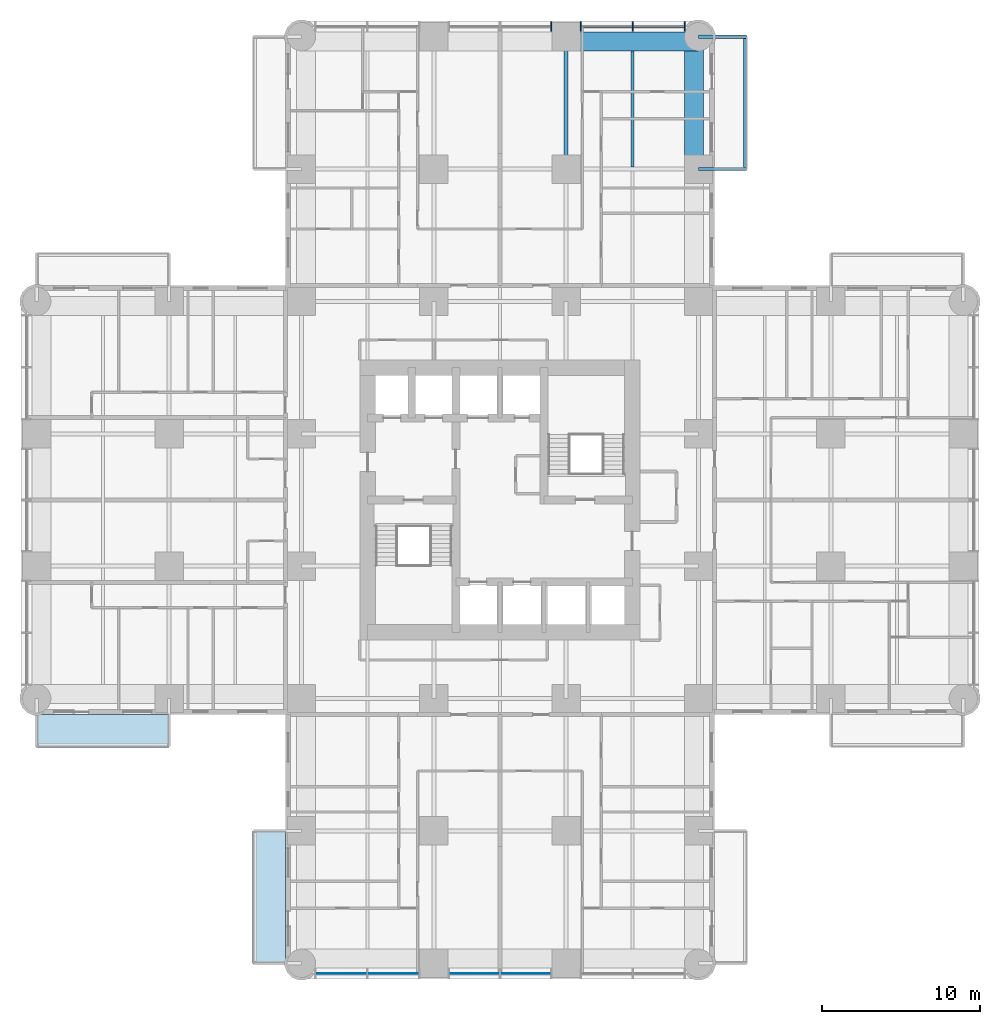
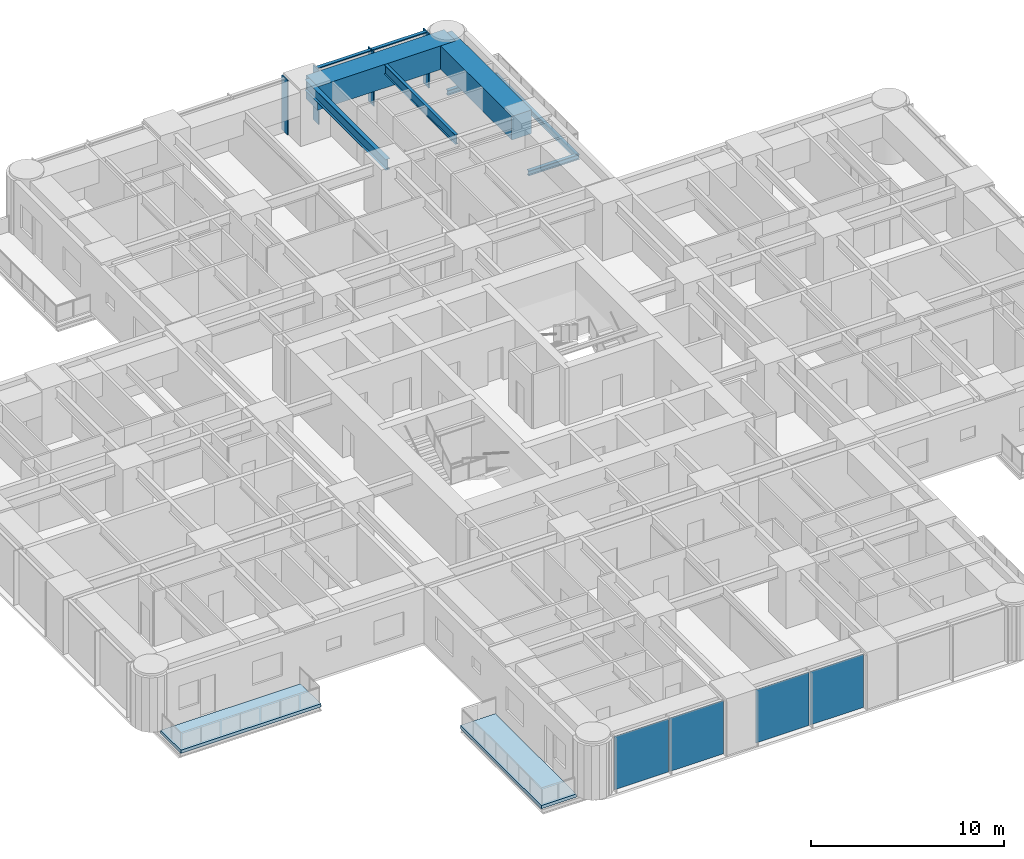
# One storey, part 5 of 17: 7 beams, 6 members, 4 plates, 2 slabs, 2 elements without a shape of their own.
"""IFC4 building model written with IfcOpenShell, lengths in metres."""

from ifc_helpers import new_model, si_unit, direction, frame, origin, origin_2d, place, context, subcontext, project, spatial, polyline, rectangle, i_section, outline, extrude, material, layer, layer_set, material_profile, profile_set, type_object, element, aggregate, save


model = new_model("IFC4")

# Units and contexts
model_context = context("Model", 3, precision=1e-05, world=origin(), true_north=direction((0.0, 1.0)))
body_context = subcontext(model_context, "Body", "Model", "MODEL_VIEW")
ifc_project = project(units=[si_unit("LENGTHUNIT", "METRE"), si_unit("AREAUNIT", "SQUARE_METRE"), si_unit("VOLUMEUNIT", "CUBIC_METRE"), si_unit("PLANEANGLEUNIT", "RADIAN"), si_unit("MASSUNIT", "GRAM", prefix="KILO")], contexts=[model_context])

# Site, building, storey
site_placement = place(None, origin())
site = spatial("IfcSite", under=ifc_project, at=site_placement, CompositionType="ELEMENT")
building_placement = place(site_placement, origin())
building = spatial("IfcBuilding", under=site, at=building_placement, Name="Torre Alcanfor", CompositionType="ELEMENT")
storey_placement = place(building_placement, frame((0.0, 0.0, 81.300048828125)))
storey = spatial("IfcBuildingStorey", under=building, at=storey_placement, Name="L20", CompositionType="ELEMENT", Elevation=81.300048828125)

# Beams
ifc_material_1 = material(Name="Steel ASTM A992 Grade 50", Category="steel")
ifc_material_profile_1 = material_profile(ifc_material_1, i_section(OverallWidth=0.205322265625, OverallDepth=0.309814453125, WebThickness=0.00927734375, FlangeThickness=0.016357421875, at=origin_2d()), Name="W12x50")
ifc_profile_set_1 = profile_set([ifc_material_profile_1], Name="Steel ASTM A992 Grade 50")
beam_type_1 = type_object("IfcBeamType", Name="Balcony cantilever beam W12x50", PredefinedType="BEAM", material=ifc_profile_set_1)
for number, where, z_axis, x_axis, name in (
    (1, (42.0, 50.39990234375, -0.35498046875), (1.0, 0.0, 0.0), (0.0, 1.0, 0.0), "Balcony cantilever beam L20-N2 1"),
    (2, (42.0, 58.800048828125, -0.35498046875), (1.0, 0.0, 0.0), (0.0, 1.0, 0.0), "Balcony cantilever beam L20-N2 2"),
):
    element("IfcBeam", number, at=place(storey_placement, frame(where, z_axis=z_axis, x_axis=x_axis)), inside=storey, type_object=beam_type_1, Name=name, PredefinedType="BEAM", context=body_context, shape_type="SweptSolid", body=[
        extrude(i_section(OverallWidth=0.205322265625, OverallDepth=0.309814453125, WebThickness=0.00927734375, FlangeThickness=0.016357421875, at=origin_2d()), origin(), (0.0, 0.0, 1.0), 3.050048828125),
    ])
ifc_material_2 = material(Name="Steel ASTM A992 Grade 50", Category="steel")
ifc_material_profile_2 = material_profile(ifc_material_2, i_section(OverallWidth=0.203369140625, OverallDepth=0.30224609375, WebThickness=0.007568359375, FlangeThickness=0.01318359375, at=origin_2d()), Name="W12x40")
ifc_profile_set_2 = profile_set([ifc_material_profile_2], Name="Steel ASTM A992 Grade 50")
beam_type_2 = type_object("IfcBeamType", Name="Balcony edge trimmer W12x40", PredefinedType="BEAM", material=ifc_profile_set_2)
beam_1_placement = place(storey_placement, frame((44.9482421875, 50.39990234375, -0.35107421875), z_axis=(0.0, 1.0, 0.0), x_axis=(-1.0, 0.0, 0.0)))
element("IfcBeam", 3, at=beam_1_placement, inside=storey, type_object=beam_type_2, Name="Balcony edge trimmer L20-N2", PredefinedType="BEAM", context=body_context, shape_type="SweptSolid", body=[
    extrude(i_section(OverallWidth=0.203369140625, OverallDepth=0.30224609375, WebThickness=0.007568359375, FlangeThickness=0.01318359375, at=origin_2d()), origin(), (0.0, 0.0, 1.0), 8.400146484375),
])

# Curtain wall, members
ifc_material_3 = material(Name="Aluminium and glass", Category="aluminium")
curtain_wall_type = type_object("IfcCurtainWallType", Name="CW-A unitised apartment glazing with vertical FIN", PredefinedType="NOTDEFINED", material=ifc_material_3)
curtain_wall_1_placement = place(storey_placement, origin())
curtain_wall_1 = element("IfcCurtainWall", 4, at=curtain_wall_1_placement, inside=storey, type_object=curtain_wall_type, Name="Curtain wall CW-A L20 11", PredefinedType="NOTDEFINED")
ifc_material_4 = material(Name="Bronze anodised aluminium", Category="aluminium")
ifc_material_profile_3 = material_profile(ifc_material_4, rectangle(XDim=0.60009765625, YDim=0.06494140625, at=origin_2d()), Name="CW-A mullion 65x600")
ifc_profile_set_3 = profile_set([ifc_material_profile_3], Name="Bronze anodised aluminium")
member_type_1 = type_object("IfcMemberType", Name="CW-A mullion with vertical FIN 65x600", PredefinedType="MULLION", material=ifc_profile_set_3)
member_1_placement = place(storey_placement, frame((41.133056640625, 59.449951171875, 0.0), z_axis=(0.0, 0.0, 1.0), x_axis=(0.0, -1.0, 0.0)))
member_1 = element("IfcMember", 5, at=member_1_placement, type_object=member_type_1, Name="CW-A mullion 1.1", PredefinedType="MULLION", context=body_context, shape_type="SweptSolid", body=[
    extrude(rectangle(XDim=0.60009765625, YDim=0.06494140625, at=origin_2d()), origin(), (0.0, 0.0, 1.0), 3.449951171875),
])
member_2_placement = place(storey_placement, frame((37.835205078125, 59.449951171875, 0.0), z_axis=(0.0, 0.0, 1.0), x_axis=(0.0, -1.0, 0.0)))
member_2 = element("IfcMember", 6, at=member_2_placement, type_object=member_type_1, Name="CW-A mullion 1.2", PredefinedType="MULLION", context=body_context, shape_type="SweptSolid", body=[
    extrude(rectangle(XDim=0.60009765625, YDim=0.06494140625, at=origin_2d()), origin(), (0.0, 0.0, 1.0), 3.449951171875),
])
member_3_placement = place(storey_placement, frame((34.53759765625, 59.449951171875, 0.0), z_axis=(0.0, 0.0, 1.0), x_axis=(0.0, -1.0, 0.0)))
member_3 = element("IfcMember", 7, at=member_3_placement, type_object=member_type_1, Name="CW-A mullion 1.3", PredefinedType="MULLION", context=body_context, shape_type="SweptSolid", body=[
    extrude(rectangle(XDim=0.60009765625, YDim=0.06494140625, at=origin_2d()), origin(), (0.0, 0.0, 1.0), 3.449951171875),
])
member_4_placement = place(storey_placement, frame((32.66259765625, 59.449951171875, 0.0), z_axis=(0.0, 0.0, 1.0), x_axis=(0.0, -1.0, 0.0)))
member_4 = element("IfcMember", 8, at=member_4_placement, type_object=member_type_1, Name="CW-A mullion 2.1", PredefinedType="MULLION", context=body_context, shape_type="SweptSolid", body=[
    extrude(rectangle(XDim=0.60009765625, YDim=0.06494140625, at=origin_2d()), origin(), (0.0, 0.0, 1.0), 3.449951171875),
])
ifc_material_5 = material(Name="Extruded aluminium", Category="aluminium")
ifc_material_profile_4 = material_profile(ifc_material_5, rectangle(XDim=0.199951171875, YDim=0.06494140625, at=origin_2d()), Name="CW-A transom 200x65")
ifc_profile_set_4 = profile_set([ifc_material_profile_4], Name="Extruded aluminium")
member_type_2 = type_object("IfcMemberType", Name="CW-A transom 65x200", PredefinedType="USERDEFINED", material=ifc_profile_set_4)
member_5_placement = place(storey_placement, frame((41.1005859375, 59.449951171875, 3.41748046875), z_axis=(-1.0, 0.0, 0.0), x_axis=(0.0, -1.0, 0.0)))
member_5 = element("IfcMember", 9, at=member_5_placement, type_object=member_type_2, Name="CW-A transom 1.1.2", ObjectType="TRANSOM", PredefinedType="USERDEFINED", context=body_context, shape_type="SweptSolid", body=[
    extrude(rectangle(XDim=0.199951171875, YDim=0.06494140625, at=origin_2d()), origin(), (0.0, 0.0, 1.0), 3.23291015625),
])
member_6_placement = place(storey_placement, frame((37.802734375, 59.449951171875, 3.41748046875), z_axis=(-1.0, 0.0, 0.0), x_axis=(0.0, -1.0, 0.0)))
member_6 = element("IfcMember", 10, at=member_6_placement, type_object=member_type_2, Name="CW-A transom 1.2.2", ObjectType="TRANSOM", PredefinedType="USERDEFINED", context=body_context, shape_type="SweptSolid", body=[
    extrude(rectangle(XDim=0.199951171875, YDim=0.06494140625, at=origin_2d()), origin(), (0.0, 0.0, 1.0), 3.232666015625),
])
aggregate(curtain_wall_1, [member_1, member_2, member_3, member_5, member_6, member_4])

# Beams
ifc_material_6 = material(Name="Steel ASTM A992 Grade 50", Category="steel")
ifc_material_profile_5 = material_profile(ifc_material_6, i_section(OverallWidth=0.25390625, OverallDepth=0.683349609375, WebThickness=0.012451171875, FlangeThickness=0.01904296875, at=origin_2d()), Name="W27x94")
ifc_profile_set_5 = profile_set([ifc_material_profile_5], Name="Steel ASTM A992 Grade 50")
beam_type_3 = type_object("IfcBeamType", Name="Girder W27x94", PredefinedType="BEAM", material=ifc_profile_set_5)
beam_2_placement = place(storey_placement, frame((33.60009765625, 50.39990234375, 3.1083984375), z_axis=(0.0, 1.0, 0.0), x_axis=(-1.0, 0.0, 0.0)))
element("IfcBeam", 11, at=beam_2_placement, inside=storey, type_object=beam_type_3, Name="Beam 5J-5K under L21", PredefinedType="BEAM", context=body_context, shape_type="SweptSolid", body=[
    extrude(i_section(OverallWidth=0.25390625, OverallDepth=0.683349609375, WebThickness=0.012451171875, FlangeThickness=0.01904296875, at=origin_2d()), origin(), (0.0, 0.0, 1.0), 8.400146484375),
])
ifc_material_7 = material(Name="Concrete f'c 70 MPa", Category="concrete")
ifc_material_profile_6 = material_profile(ifc_material_7, rectangle(XDim=1.199951171875, YDim=1.5, at=origin_2d()), Name="1200x1500")
ifc_profile_set_6 = profile_set([ifc_material_profile_6], Name="Concrete f'c 70 MPa")
beam_type_4 = type_object("IfcBeamType", Name="RC perimeter beam 1200x1500", PredefinedType="BEAM", material=ifc_profile_set_6)
for number, where, z_axis, x_axis, name in (
    (12, (33.72705078125, 58.5, 2.699951171875), (1.0, 0.0, 0.0), (0.0, 1.0, 0.0), "Beam 5K-6K under L21"),
    (13, (41.699951171875, 50.527099609375, 2.699951171875), (0.0, 1.0, 0.0), (-1.0, 0.0, 0.0), "Beam 6J-6K under L21"),
):
    element("IfcBeam", number, at=place(storey_placement, frame(where, z_axis=z_axis, x_axis=x_axis)), inside=storey, type_object=beam_type_4, Name=name, PredefinedType="BEAM", context=body_context, shape_type="SweptSolid", body=[
        extrude(rectangle(XDim=1.199951171875, YDim=1.5, at=origin_2d()), origin(), (0.0, 0.0, 1.0), 8.27294921875),
    ])
ifc_material_8 = material(Name="Steel ASTM A992 Grade 50", Category="steel")
ifc_material_profile_7 = material_profile(ifc_material_8, i_section(OverallWidth=0.1787109375, OverallDepth=0.60205078125, WebThickness=0.010986328125, FlangeThickness=0.014892578125, at=origin_2d()), Name="W24x62")
ifc_profile_set_7 = profile_set([ifc_material_profile_7], Name="Steel ASTM A992 Grade 50")
beam_type_5 = type_object("IfcBeamType", Name="Secondary beam W24x62", PredefinedType="BEAM", material=ifc_profile_set_7)
beam_3_placement = place(storey_placement, frame((37.800048828125, 50.527099609375, 3.14892578125), z_axis=(0.0, 1.0, 0.0), x_axis=(-1.0, 0.0, 0.0)))
element("IfcBeam", 14, at=beam_3_placement, inside=storey, type_object=beam_type_5, Name="Beam 37_8J-37_8K under L21", PredefinedType="BEAM", context=body_context, shape_type="SweptSolid", body=[
    extrude(i_section(OverallWidth=0.1787109375, OverallDepth=0.60205078125, WebThickness=0.010986328125, FlangeThickness=0.014892578125, at=origin_2d()), origin(), (0.0, 0.0, 1.0), 7.372802734375),
])

# Slabs
ifc_material_9 = material(Name="Concrete f'c 35 MPa", Category="concrete")
ifc_layer_1 = layer(ifc_material_9, 0.199951171875)
ifc_layer_set_1 = layer_set([ifc_layer_1], Name="Balcony slab 200")
slab_type = type_object("IfcSlabType", Name="Balcony slab 200", PredefinedType="FLOOR", material=ifc_layer_set_1)
slab_1_placement = place(storey_placement, frame((0.0, 0.0, -0.199951171875)))
element("IfcSlab", 15, at=slab_1_placement, inside=storey, type_object=slab_type, Name="Balcony L20-S2", PredefinedType="FLOOR", context=body_context, shape_type="SweptSolid", body=[
    extrude(outline(polyline([(13.699951171875, 8.39990234375), (13.699951171875, 0.0), (15.800048828125, 0.0), (15.800048828125, 8.39990234375), (13.699951171875, 8.39990234375)])), origin(), (0.0, 0.0, 1.0), 0.199951171875),
])
slab_2_placement = place(storey_placement, frame((0.0, 0.0, -0.199951171875)))
element("IfcSlab", 16, at=slab_2_placement, inside=storey, type_object=slab_type, Name="Balcony L20-W1", PredefinedType="FLOOR", context=body_context, shape_type="SweptSolid", body=[
    extrude(outline(polyline([(8.39990234375, 15.800048828125), (0.0, 15.800048828125), (0.0, 13.699951171875), (8.39990234375, 13.699951171875), (8.39990234375, 15.800048828125)])), origin(), (0.0, 0.0, 1.0), 0.199951171875),
])

# Curtain wall, plates
curtain_wall_2_placement = place(storey_placement, origin())
curtain_wall_2 = element("IfcCurtainWall", 17, at=curtain_wall_2_placement, inside=storey, type_object=curtain_wall_type, Name="Curtain wall CW-A L20 5", PredefinedType="NOTDEFINED")
ifc_material_10 = material(Name="Glass", Category="glass")
ifc_layer_2 = layer(ifc_material_10, 0.028076171875)
ifc_layer_set_2 = layer_set([ifc_layer_2], Name="CW-A clear double glazed unit")
plate_type = type_object("IfcPlateType", Name="CW-A clear double glazed unit", PredefinedType="CURTAIN_PANEL", material=ifc_layer_set_2)
plate_1_placement = place(storey_placement, frame((19.31591796875, -0.64990234375, 0.0), z_axis=(0.0, 0.0, 1.0), x_axis=(1.0, 0.0, 0.0)))
plate_1 = element("IfcPlate", 18, at=plate_1_placement, type_object=plate_type, Name="CW-A panel 1.1.1", PredefinedType="CURTAIN_PANEL", context=body_context, shape_type="SweptSolid", body=[
    extrude(rectangle(XDim=3.232666015625, YDim=0.028076171875, at=origin_2d()), origin(), (0.0, 0.0, 1.0), 3.385009765625),
])
plate_2_placement = place(storey_placement, frame((22.613525390625, -0.64990234375, 0.0), z_axis=(0.0, 0.0, 1.0), x_axis=(1.0, 0.0, 0.0)))
plate_2 = element("IfcPlate", 19, at=plate_2_placement, type_object=plate_type, Name="CW-A panel 1.2.1", PredefinedType="CURTAIN_PANEL", context=body_context, shape_type="SweptSolid", body=[
    extrude(rectangle(XDim=3.232666015625, YDim=0.028076171875, at=origin_2d()), origin(), (0.0, 0.0, 1.0), 3.385009765625),
])
plate_3_placement = place(storey_placement, frame((27.768798828125, -0.64990234375, 0.0), z_axis=(0.0, 0.0, 1.0), x_axis=(1.0, 0.0, 0.0)))
plate_3 = element("IfcPlate", 20, at=plate_3_placement, type_object=plate_type, Name="CW-A panel 2.1.1", PredefinedType="CURTAIN_PANEL", context=body_context, shape_type="SweptSolid", body=[
    extrude(rectangle(XDim=3.197509765625, YDim=0.028076171875, at=origin_2d()), origin(), (0.0, 0.0, 1.0), 3.385009765625),
])
plate_4_placement = place(storey_placement, frame((31.03125, -0.64990234375, 0.0), z_axis=(0.0, 0.0, 1.0), x_axis=(1.0, 0.0, 0.0)))
plate_4 = element("IfcPlate", 21, at=plate_4_placement, type_object=plate_type, Name="CW-A panel 2.2.1", PredefinedType="CURTAIN_PANEL", context=body_context, shape_type="SweptSolid", body=[
    extrude(rectangle(XDim=3.197509765625, YDim=0.028076171875, at=origin_2d()), origin(), (0.0, 0.0, 1.0), 3.385009765625),
])
aggregate(curtain_wall_2, [plate_1, plate_2, plate_3, plate_4])

save(model, "model.ifc")
